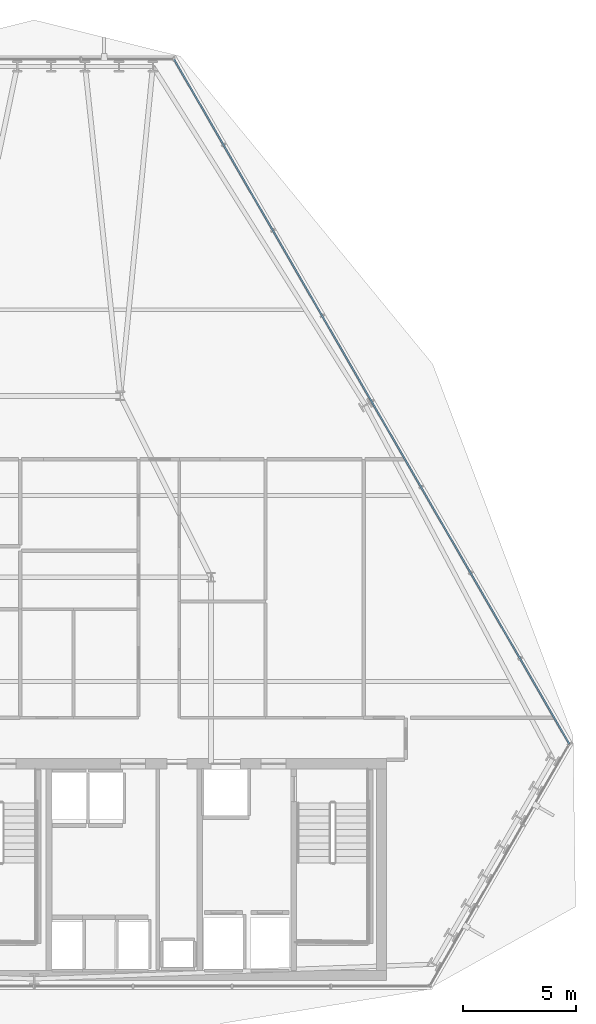
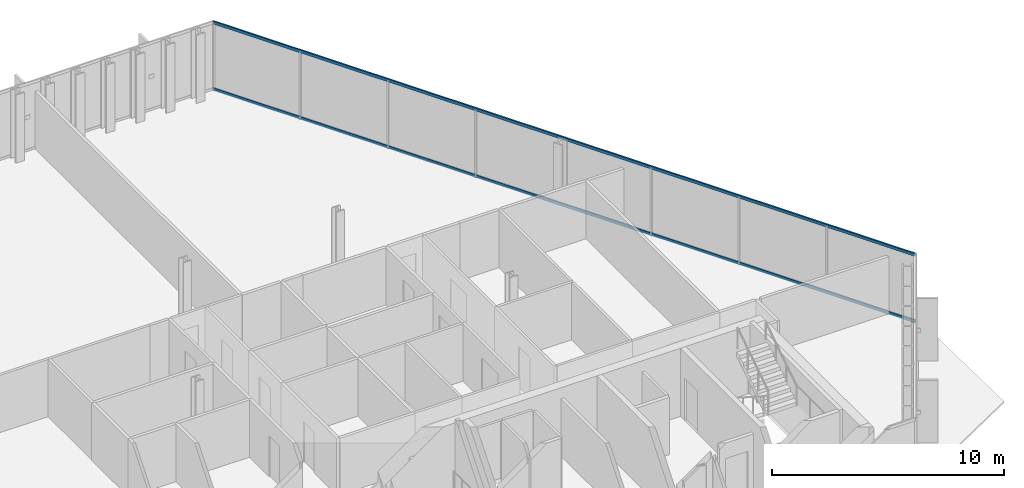
# One storey, part 20 of 36: 2 members, 1 element without a shape of its own.
"""IFC4 building model written with IfcOpenShell, lengths in metres."""

from ifc_helpers import new_model, si_unit, direction, frame, origin, origin_2d, place, context, subcontext, project, spatial, hollow_rectangle, extrude, material, layer, layer_set, material_profile, profile_set, type_object, element, aggregate, save


model = new_model("IFC4")

# Units and contexts
model_context = context("Model", 3, precision=1e-05, world=origin(), true_north=direction((0.0, 1.0)))
body_context = subcontext(model_context, "Body", "Model", "MODEL_VIEW")
ifc_project = project(units=[si_unit("LENGTHUNIT", "METRE"), si_unit("AREAUNIT", "SQUARE_METRE"), si_unit("VOLUMEUNIT", "CUBIC_METRE"), si_unit("PLANEANGLEUNIT", "RADIAN"), si_unit("MASSUNIT", "GRAM", prefix="KILO")], contexts=[model_context])

# Site, building, storey
site_placement = place(None, origin())
site = spatial("IfcSite", under=ifc_project, at=site_placement, CompositionType="ELEMENT")
building_placement = place(site_placement, origin())
building = spatial("IfcBuilding", under=site, at=building_placement, Name="Ndaravel Arena Tower", CompositionType="ELEMENT")
storey_placement = place(building_placement, frame((0.0, 0.0, 127.0)))
storey = spatial("IfcBuildingStorey", under=building, at=storey_placement, Name="L29", CompositionType="ELEMENT", Elevation=127.0)

# Curtain wall, members
ifc_material_1 = material(Name="Aluminium", Category="aluminium")
ifc_layer = layer(ifc_material_1, 0.179931640625)
ifc_layer_set = layer_set([ifc_layer], Name="Aluminium")
curtain_wall_type = type_object("IfcCurtainWallType", Name="CW-SYS-03", PredefinedType="NOTDEFINED", material=ifc_layer_set)
curtain_wall_placement = place(storey_placement, origin())
curtain_wall = element("IfcCurtainWall", 1, at=curtain_wall_placement, inside=storey, type_object=curtain_wall_type, Name="L29 Faceted Crystal Curtain Wall CW-L29-E03", PredefinedType="NOTDEFINED")
ifc_material_2 = material(Name="Aluminium", Category="aluminium")
ifc_material_profile = material_profile(ifc_material_2, hollow_rectangle(XDim=0.074951171875, YDim=0.14990234375, WallThickness=0.00390625, at=origin_2d()), Name="CW TRANSOM 75x150x4")
ifc_profile_set = profile_set([ifc_material_profile], Name="Aluminium")
member_type = type_object("IfcMemberType", Name="MEM-CW-TRN150", PredefinedType="USERDEFINED", material=ifc_profile_set)
member_1_placement = place(storey_placement, frame((65.611328125, 15.841064453125, 0.0400390625), z_axis=(-0.499997655819, 0.866026757194, 0.0), x_axis=(-0.866026757194, -0.499997655819, 0.0)))
member_1 = element("IfcMember", 2, at=member_1_placement, type_object=member_type, Name="CW-L29-E03 Transom 01", ObjectType="TRANSOM", PredefinedType="USERDEFINED", context=body_context, shape_type="SweptSolid", body=[
    extrude(hollow_rectangle(XDim=0.074951171875, YDim=0.14990234375, WallThickness=0.00390625, at=origin_2d()), origin(), (0.0, 0.0, 1.0), 34.889404296875),
])
member_2_placement = place(storey_placement, frame((65.611328125, 15.841064453125, 3.5400390625), z_axis=(-0.499997655819, 0.866026757194, 0.0), x_axis=(-0.866026757194, -0.499997655819, 0.0)))
member_2 = element("IfcMember", 3, at=member_2_placement, type_object=member_type, Name="CW-L29-E03 Transom 02", ObjectType="TRANSOM", PredefinedType="USERDEFINED", context=body_context, shape_type="SweptSolid", body=[
    extrude(hollow_rectangle(XDim=0.074951171875, YDim=0.14990234375, WallThickness=0.00390625, at=origin_2d()), origin(), (0.0, 0.0, 1.0), 34.889404296875),
])
aggregate(curtain_wall, [member_1, member_2])

save(model, "model.ifc")
